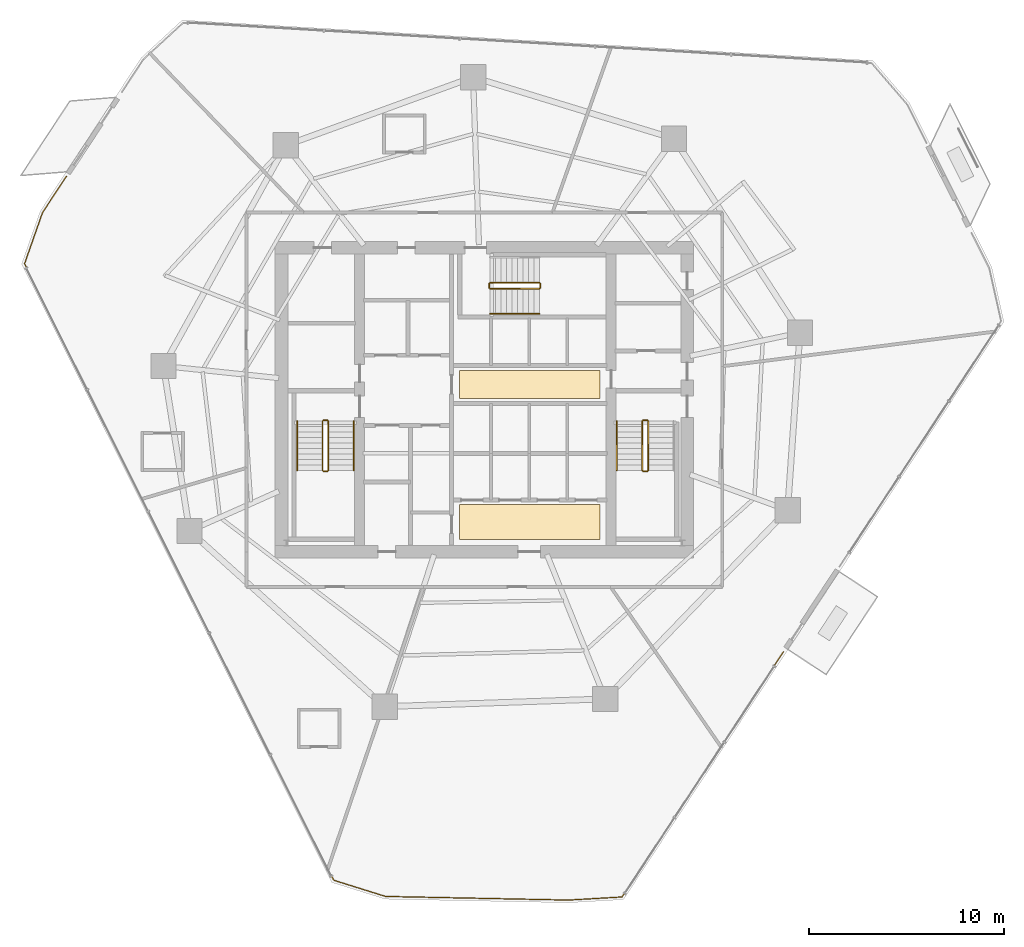
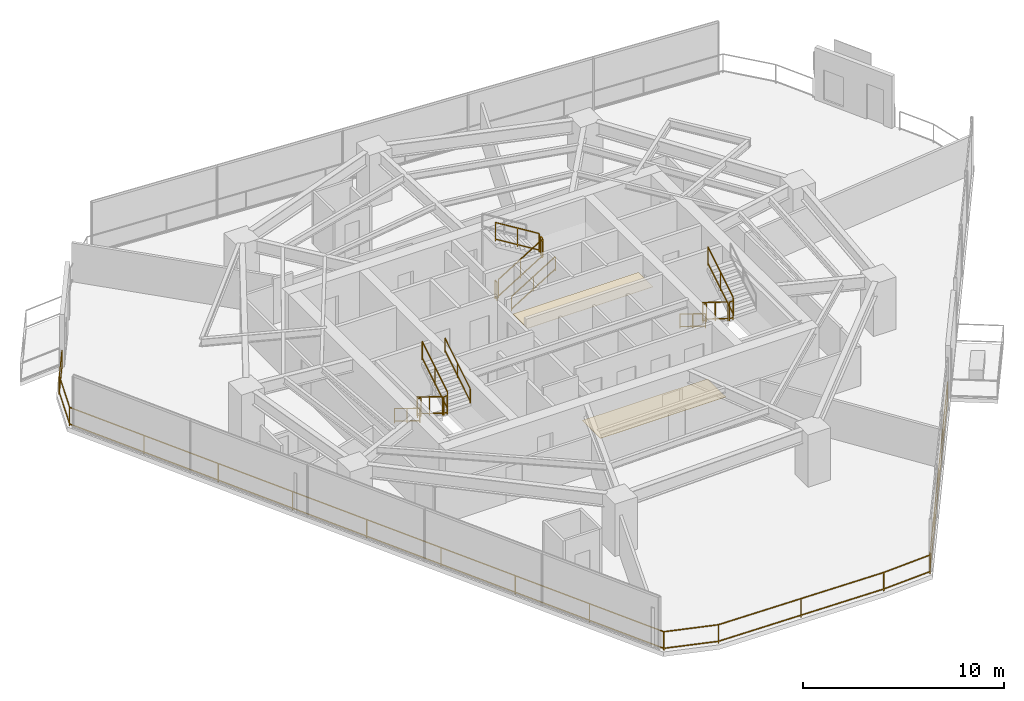
# One storey, part 27 of 28: 17 railings, 2 coverings.
"""IFC4 building model written with IfcOpenShell, lengths in metres."""

from ifc_helpers import new_model, si_unit, direction, frame, origin, origin_2d, place, context, subcontext, project, spatial, rectangle, extrude, material, layer, layer_set, type_object, element, save


model = new_model("IFC4")

# Units and contexts
model_context = context("Model", 3, precision=1e-05, world=origin(), true_north=direction((0.0, 1.0)))
body_context = subcontext(model_context, "Body", "Model", "MODEL_VIEW")
ifc_project = project(units=[si_unit("LENGTHUNIT", "METRE"), si_unit("AREAUNIT", "SQUARE_METRE"), si_unit("VOLUMEUNIT", "CUBIC_METRE"), si_unit("PLANEANGLEUNIT", "RADIAN"), si_unit("MASSUNIT", "GRAM", prefix="KILO")], contexts=[model_context])

# Site, building, storey
site_placement = place(None, origin())
site = spatial("IfcSite", under=ifc_project, at=site_placement, CompositionType="ELEMENT")
building_placement = place(site_placement, origin())
building = spatial("IfcBuilding", under=site, at=building_placement, Name="Qarnah Convention Tower", CompositionType="ELEMENT")
storey_placement = place(building_placement, frame((0.0, 0.0, 54.60009765625)))
storey = spatial("IfcBuildingStorey", under=building, at=storey_placement, Name="L13", CompositionType="ELEMENT", Elevation=54.60009765625)

# Coverings
ifc_material_1 = material(Name="Mineral fibre acoustic ceiling")
ifc_layer_1 = layer(ifc_material_1, 0.02001953125)
ifc_layer_set_1 = layer_set([ifc_layer_1], Name="Mineral fibre acoustic ceiling")
covering_type_1 = type_object("IfcCoveringType", Name="COV-CEIL-20", PredefinedType="CEILING", material=ifc_layer_set_1)
covering_1_placement = place(storey_placement, frame((39.52001953125, 27.179931640625, 2.289794921875), z_axis=(0.0, 0.0, 1.0), x_axis=(1.0, 0.0, 0.0)))
element("IfcCovering", 1, at=covering_1_placement, inside=storey, type_object=covering_type_1, Name="L13 lift lobby acoustic ceiling", PredefinedType="CEILING", context=body_context, shape_type="SweptSolid", body=[
    extrude(rectangle(XDim=7.199951171875, YDim=1.449951171875, at=origin_2d()), origin(), (0.0, 0.0, 1.0), 0.02001953125),
])
ifc_material_2 = material(Name="Porcelain stone floor tile", Category="masonry")
ifc_layer_2 = layer(ifc_material_2, 0.02001953125)
ifc_layer_set_2 = layer_set([ifc_layer_2], Name="Porcelain stone floor tile")
covering_type_2 = type_object("IfcCoveringType", Name="COV-FLOOR-20", PredefinedType="FLOORING", material=ifc_layer_set_2)
covering_2_placement = place(storey_placement, frame((39.52001953125, 20.1201171875, 0.0), z_axis=(0.0, 0.0, 1.0), x_axis=(1.0, 0.0, 0.0)))
element("IfcCovering", 2, at=covering_2_placement, inside=storey, type_object=covering_type_2, Name="L13 lift lobby porcelain stone flooring", PredefinedType="FLOORING", context=body_context, shape_type="SweptSolid", body=[
    extrude(rectangle(XDim=7.199951171875, YDim=1.800048828125, at=origin_2d()), origin(), (0.0, 0.0, 1.0), 0.02001953125),
])

# Railings
ifc_material_3 = material(Name="Black anodised aluminium", Category="aluminium")
railing_type_1 = type_object("IfcRailingType", Name="RL-EXT-GUARD-1150", PredefinedType="GUARDRAIL", material=ifc_material_3)
railing_1_placement = place(storey_placement, frame((52.533935546875, 13.471923828125, 0.0)))
element("IfcRailing", 3, at=railing_1_placement, inside=storey, type_object=railing_type_1, Name="L13 slab-edge perimeter safety guard 03", PredefinedType="GUARDRAIL", context=body_context, shape_type="SweptSolid", body=[
    extrude(rectangle(XDim=0.048095703125, YDim=0.048095703125, at=origin_2d()), frame((0.0, 0.0, 1.1259765625), z_axis=(-0.549870547609, -0.835249891273, 0.0), x_axis=(0.835249891273, -0.549870547609, 0.0)), (0.0, 0.0, 1.0), 15.05419921875),
    extrude(rectangle(XDim=0.048095703125, YDim=0.048095703125, at=origin_2d()), frame((0.0, 0.0, 0.1201171875), z_axis=(-0.549870547609, -0.835249891273, 0.0), x_axis=(0.835249891273, -0.549870547609, 0.0)), (0.0, 0.0, 1.0), 15.05419921875),
    extrude(rectangle(XDim=0.048095703125, YDim=0.048095703125, at=origin_2d()), frame((-8.27783203125, -12.573974609375, 1.1259765625), z_axis=(-0.998340040109, -0.057594828885, 0.0), x_axis=(0.057594828885, -0.998340040109, 0.0)), (0.0, 0.0, 1.0), 2.74267578125),
    extrude(rectangle(XDim=0.048095703125, YDim=0.048095703125, at=origin_2d()), frame((-8.27783203125, -12.573974609375, 0.1201171875), z_axis=(-0.998340040109, -0.057594828885, 0.0), x_axis=(0.057594828885, -0.998340040109, 0.0)), (0.0, 0.0, 1.0), 2.74267578125),
    extrude(rectangle(XDim=0.048095703125, YDim=0.048095703125, at=origin_2d()), frame((-11.015869140625, -12.73193359375, 1.1259765625), z_axis=(-0.999803549568, 0.019820753565, 0.0), x_axis=(-0.019820753565, -0.999803549568, 0.0)), (0.0, 0.0, 1.0), 9.385986328125),
    extrude(rectangle(XDim=0.048095703125, YDim=0.048095703125, at=origin_2d()), frame((-11.015869140625, -12.73193359375, 0.1201171875), z_axis=(-0.999803549568, 0.019820753565, 0.0), x_axis=(-0.019820753565, -0.999803549568, 0.0)), (0.0, 0.0, 1.0), 9.385986328125),
    extrude(rectangle(XDim=0.048095703125, YDim=0.048095703125, at=origin_2d()), frame((-20.39990234375, -12.5458984375, 1.1259765625), z_axis=(-0.954503384145, 0.298200083258, 0.0), x_axis=(-0.298200083258, -0.954503384145, 0.0)), (0.0, 0.0, 1.0), 2.78369140625),
    extrude(rectangle(XDim=0.048095703125, YDim=0.048095703125, at=origin_2d()), frame((-20.39990234375, -12.5458984375, 0.1201171875), z_axis=(-0.954503384145, 0.298200083258, 0.0), x_axis=(-0.298200083258, -0.954503384145, 0.0)), (0.0, 0.0, 1.0), 2.78369140625),
    extrude(rectangle(XDim=0.048095703125, YDim=0.048095703125, at=origin_2d()), frame((-23.056884765625, -11.7158203125, 1.1259765625), z_axis=(-0.448370056083, 0.893848025566, 0.0), x_axis=(-0.893848025566, -0.448370056083, 0.0)), (0.0, 0.0, 1.0), 35.37060546875),
    extrude(rectangle(XDim=0.048095703125, YDim=0.048095703125, at=origin_2d()), frame((-23.056884765625, -11.7158203125, 0.1201171875), z_axis=(-0.448370056083, 0.893848025566, 0.0), x_axis=(-0.893848025566, -0.448370056083, 0.0)), (0.0, 0.0, 1.0), 35.37060546875),
    extrude(rectangle(XDim=0.048095703125, YDim=0.048095703125, at=origin_2d()), frame((-38.916015625, 19.900146484375, 1.1259765625), z_axis=(0.331521853907, 0.943447539815, 0.0), x_axis=(-0.943447539815, 0.331521853907, 0.0)), (0.0, 0.0, 1.0), 2.784423828125),
    extrude(rectangle(XDim=0.048095703125, YDim=0.048095703125, at=origin_2d()), frame((-38.916015625, 19.900146484375, 0.1201171875), z_axis=(0.331521853907, 0.943447539815, 0.0), x_axis=(-0.943447539815, 0.331521853907, 0.0)), (0.0, 0.0, 1.0), 2.784423828125),
    extrude(rectangle(XDim=0.048095703125, YDim=0.048095703125, at=origin_2d()), frame((-37.992919921875, 22.527099609375, 1.1259765625), z_axis=(0.550003645583, 0.835162253604, 0.0), x_axis=(-0.835162253604, 0.550003645583, 0.0)), (0.0, 0.0, 1.0), 2.223388671875),
    extrude(rectangle(XDim=0.048095703125, YDim=0.048095703125, at=origin_2d()), frame((-37.992919921875, 22.527099609375, 0.1201171875), z_axis=(0.550003645583, 0.835162253604, 0.0), x_axis=(-0.835162253604, 0.550003645583, 0.0)), (0.0, 0.0, 1.0), 2.223388671875),
    extrude(rectangle(XDim=0.0419921875, YDim=0.0419921875, at=origin_2d()), origin(), (0.0, 0.0, 1.0), 1.101806640625),
    extrude(rectangle(XDim=0.0419921875, YDim=0.0419921875, at=origin_2d()), frame((-2.0693359375, -3.1435546875, 0.0)), (0.0, 0.0, 1.0), 1.101806640625),
    extrude(rectangle(XDim=0.0419921875, YDim=0.0419921875, at=origin_2d()), frame((-4.138916015625, -6.287109375, 0.0)), (0.0, 0.0, 1.0), 1.101806640625),
    extrude(rectangle(XDim=0.0419921875, YDim=0.0419921875, at=origin_2d()), frame((-6.20849609375, -9.430419921875, 0.0)), (0.0, 0.0, 1.0), 1.101806640625),
    extrude(rectangle(XDim=0.0419921875, YDim=0.0419921875, at=origin_2d()), frame((-8.27783203125, -12.573974609375, 0.0)), (0.0, 0.0, 1.0), 1.101806640625),
    extrude(rectangle(XDim=0.0419921875, YDim=0.0419921875, at=origin_2d()), frame((-11.015869140625, -12.73193359375, 0.0)), (0.0, 0.0, 1.0), 1.101806640625),
    extrude(rectangle(XDim=0.0419921875, YDim=0.0419921875, at=origin_2d()), frame((-15.7080078125, -12.638916015625, 0.0)), (0.0, 0.0, 1.0), 1.101806640625),
    extrude(rectangle(XDim=0.0419921875, YDim=0.0419921875, at=origin_2d()), frame((-20.39990234375, -12.5458984375, 0.0)), (0.0, 0.0, 1.0), 1.101806640625),
    extrude(rectangle(XDim=0.0419921875, YDim=0.0419921875, at=origin_2d()), frame((-23.056884765625, -11.7158203125, 0.0)), (0.0, 0.0, 1.0), 1.101806640625),
    extrude(rectangle(XDim=0.0419921875, YDim=0.0419921875, at=origin_2d()), frame((-25.039306640625, -7.763916015625, 0.0)), (0.0, 0.0, 1.0), 1.101806640625),
    extrude(rectangle(XDim=0.0419921875, YDim=0.0419921875, at=origin_2d()), frame((-27.021728515625, -3.811767578125, 0.0)), (0.0, 0.0, 1.0), 1.101806640625),
    extrude(rectangle(XDim=0.0419921875, YDim=0.0419921875, at=origin_2d()), frame((-29.004150390625, 0.14013671875, 0.0)), (0.0, 0.0, 1.0), 1.101806640625),
    extrude(rectangle(XDim=0.0419921875, YDim=0.0419921875, at=origin_2d()), frame((-30.986328125, 4.09228515625, 0.0)), (0.0, 0.0, 1.0), 1.101806640625),
    extrude(rectangle(XDim=0.0419921875, YDim=0.0419921875, at=origin_2d()), frame((-32.96875, 8.044189453125, 0.0)), (0.0, 0.0, 1.0), 1.101806640625),
    extrude(rectangle(XDim=0.0419921875, YDim=0.0419921875, at=origin_2d()), frame((-34.951171875, 11.99609375, 0.0)), (0.0, 0.0, 1.0), 1.101806640625),
    extrude(rectangle(XDim=0.0419921875, YDim=0.0419921875, at=origin_2d()), frame((-36.93359375, 15.9482421875, 0.0)), (0.0, 0.0, 1.0), 1.101806640625),
    extrude(rectangle(XDim=0.0419921875, YDim=0.0419921875, at=origin_2d()), frame((-38.916015625, 19.900146484375, 0.0)), (0.0, 0.0, 1.0), 1.101806640625),
    extrude(rectangle(XDim=0.0419921875, YDim=0.0419921875, at=origin_2d()), frame((-37.992919921875, 22.527099609375, 0.0)), (0.0, 0.0, 1.0), 1.101806640625),
    extrude(rectangle(XDim=0.0419921875, YDim=0.0419921875, at=origin_2d()), frame((-36.77001953125, 24.384033203125, 0.0)), (0.0, 0.0, 1.0), 1.101806640625),
])
ifc_material_4 = material(Name="Structural steel S355JR", Category="steel")
railing_type_2 = type_object("IfcRailingType", Name="RL-STAIR-GUARD-1150", PredefinedType="GUARDRAIL", material=ifc_material_4)
railing_2_placement = place(storey_placement, frame((28.89990234375, 25.300048828125, 0.17236328125)))
element("IfcRailing", 4, at=railing_2_placement, inside=storey, type_object=railing_type_2, Name="L13 ST-1 stair guard 1", PredefinedType="GUARDRAIL", context=body_context, shape_type="SweptSolid", body=[
    extrude(rectangle(XDim=0.048095703125, YDim=0.048095703125, at=origin_2d()), frame((0.0, 0.0, 1.1259765625), z_axis=(0.0, -0.851400495292, 0.524516154772), x_axis=(1.0, 0.0, 0.0)), (0.0, 0.0, 1.0), 2.9599609375),
    extrude(rectangle(XDim=0.048095703125, YDim=0.048095703125, at=origin_2d()), frame((0.0, 0.0, 0.1201171875), z_axis=(0.0, -0.851400495292, 0.524516154772), x_axis=(1.0, 0.0, 0.0)), (0.0, 0.0, 1.0), 2.9599609375),
    extrude(rectangle(XDim=0.0419921875, YDim=0.0419921875, at=origin_2d()), origin(), (0.0, 0.0, 1.0), 1.101806640625),
    extrude(rectangle(XDim=0.0419921875, YDim=0.0419921875, at=origin_2d()), frame((0.0, -1.260009765625, 0.7763671875)), (0.0, 0.0, 1.0), 1.101806640625),
    extrude(rectangle(XDim=0.0419921875, YDim=0.0419921875, at=origin_2d()), frame((0.0, -2.52001953125, 1.552490234375)), (0.0, 0.0, 1.0), 1.101806640625),
])
railing_3_placement = place(storey_placement, frame((28.949951171875, 22.72998046875, 1.724853515625)))
element("IfcRailing", 5, at=railing_3_placement, inside=storey, type_object=railing_type_2, Name="L13 ST-1 stair guard 2", PredefinedType="GUARDRAIL", context=body_context, shape_type="SweptSolid", body=[
    extrude(rectangle(XDim=0.048095703125, YDim=0.048095703125, at=origin_2d()), frame((0.0, 0.0, 1.1259765625), z_axis=(1.0, 0.0, 0.0), x_axis=(0.0, 1.0, 0.0)), (0.0, 0.0, 1.0), 0.199951171875),
    extrude(rectangle(XDim=0.048095703125, YDim=0.048095703125, at=origin_2d()), frame((0.0, 0.0, 0.1201171875), z_axis=(1.0, 0.0, 0.0), x_axis=(0.0, 1.0, 0.0)), (0.0, 0.0, 1.0), 0.199951171875),
    extrude(rectangle(XDim=0.0419921875, YDim=0.0419921875, at=origin_2d()), origin(), (0.0, 0.0, 1.0), 1.101806640625),
    extrude(rectangle(XDim=0.0419921875, YDim=0.0419921875, at=origin_2d()), frame((0.199951171875, 0.0, 0.0)), (0.0, 0.0, 1.0), 1.101806640625),
])
railing_4_placement = place(storey_placement, frame((29.199951171875, 22.780029296875, 1.8974609375)))
element("IfcRailing", 6, at=railing_4_placement, inside=storey, type_object=railing_type_2, Name="L13 ST-1 stair guard 3", PredefinedType="GUARDRAIL", context=body_context, shape_type="SweptSolid", body=[
    extrude(rectangle(XDim=0.048095703125, YDim=0.048095703125, at=origin_2d()), frame((0.0, 0.0, 1.1259765625), z_axis=(0.0, 0.851400495292, 0.524516154772), x_axis=(-1.0, 0.0, 0.0)), (0.0, 0.0, 1.0), 2.9599609375),
    extrude(rectangle(XDim=0.048095703125, YDim=0.048095703125, at=origin_2d()), frame((0.0, 0.0, 0.1201171875), z_axis=(0.0, 0.851400495292, 0.524516154772), x_axis=(-1.0, 0.0, 0.0)), (0.0, 0.0, 1.0), 2.9599609375),
    extrude(rectangle(XDim=0.0419921875, YDim=0.0419921875, at=origin_2d()), origin(), (0.0, 0.0, 1.0), 1.101806640625),
    extrude(rectangle(XDim=0.0419921875, YDim=0.0419921875, at=origin_2d()), frame((0.0, 1.260009765625, 0.7763671875)), (0.0, 0.0, 1.0), 1.101806640625),
    extrude(rectangle(XDim=0.0419921875, YDim=0.0419921875, at=origin_2d()), frame((0.0, 2.52001953125, 1.552490234375)), (0.0, 0.0, 1.0), 1.101806640625),
])
railing_5_placement = place(storey_placement, frame((28.949951171875, 25.35009765625, 0.0)))
element("IfcRailing", 7, at=railing_5_placement, inside=storey, type_object=railing_type_2, Name="L13 ST-1 stair guard 4", PredefinedType="GUARDRAIL", context=body_context, shape_type="SweptSolid", body=[
    extrude(rectangle(XDim=0.048095703125, YDim=0.048095703125, at=origin_2d()), frame((0.0, 0.0, 1.1259765625), z_axis=(1.0, 0.0, 0.0), x_axis=(0.0, 1.0, 0.0)), (0.0, 0.0, 1.0), 0.199951171875),
    extrude(rectangle(XDim=0.048095703125, YDim=0.048095703125, at=origin_2d()), frame((0.0, 0.0, 0.1201171875), z_axis=(1.0, 0.0, 0.0), x_axis=(0.0, 1.0, 0.0)), (0.0, 0.0, 1.0), 0.199951171875),
    extrude(rectangle(XDim=0.0419921875, YDim=0.0419921875, at=origin_2d()), origin(), (0.0, 0.0, 1.0), 1.101806640625),
    extrude(rectangle(XDim=0.0419921875, YDim=0.0419921875, at=origin_2d()), frame((0.199951171875, 0.0, 0.0)), (0.0, 0.0, 1.0), 1.101806640625),
])
railing_6_placement = place(storey_placement, frame((45.300048828125, 25.300048828125, 0.17236328125)))
element("IfcRailing", 8, at=railing_6_placement, inside=storey, type_object=railing_type_2, Name="L13 ST-2 stair guard 1", PredefinedType="GUARDRAIL", context=body_context, shape_type="SweptSolid", body=[
    extrude(rectangle(XDim=0.048095703125, YDim=0.048095703125, at=origin_2d()), frame((0.0, 0.0, 1.1259765625), z_axis=(0.0, -0.851400495292, 0.524516154772), x_axis=(1.0, 0.0, 0.0)), (0.0, 0.0, 1.0), 2.9599609375),
    extrude(rectangle(XDim=0.048095703125, YDim=0.048095703125, at=origin_2d()), frame((0.0, 0.0, 0.1201171875), z_axis=(0.0, -0.851400495292, 0.524516154772), x_axis=(1.0, 0.0, 0.0)), (0.0, 0.0, 1.0), 2.9599609375),
    extrude(rectangle(XDim=0.0419921875, YDim=0.0419921875, at=origin_2d()), origin(), (0.0, 0.0, 1.0), 1.101806640625),
    extrude(rectangle(XDim=0.0419921875, YDim=0.0419921875, at=origin_2d()), frame((0.0, -1.260009765625, 0.7763671875)), (0.0, 0.0, 1.0), 1.101806640625),
    extrude(rectangle(XDim=0.0419921875, YDim=0.0419921875, at=origin_2d()), frame((0.0, -2.52001953125, 1.552490234375)), (0.0, 0.0, 1.0), 1.101806640625),
])
railing_7_placement = place(storey_placement, frame((45.35009765625, 22.72998046875, 1.724853515625)))
element("IfcRailing", 9, at=railing_7_placement, inside=storey, type_object=railing_type_2, Name="L13 ST-2 stair guard 2", PredefinedType="GUARDRAIL", context=body_context, shape_type="SweptSolid", body=[
    extrude(rectangle(XDim=0.048095703125, YDim=0.048095703125, at=origin_2d()), frame((0.0, 0.0, 1.1259765625), z_axis=(1.0, 0.0, 0.0), x_axis=(0.0, 1.0, 0.0)), (0.0, 0.0, 1.0), 0.199951171875),
    extrude(rectangle(XDim=0.048095703125, YDim=0.048095703125, at=origin_2d()), frame((0.0, 0.0, 0.1201171875), z_axis=(1.0, 0.0, 0.0), x_axis=(0.0, 1.0, 0.0)), (0.0, 0.0, 1.0), 0.199951171875),
    extrude(rectangle(XDim=0.0419921875, YDim=0.0419921875, at=origin_2d()), origin(), (0.0, 0.0, 1.0), 1.101806640625),
    extrude(rectangle(XDim=0.0419921875, YDim=0.0419921875, at=origin_2d()), frame((0.199951171875, 0.0, 0.0)), (0.0, 0.0, 1.0), 1.101806640625),
])
railing_8_placement = place(storey_placement, frame((45.60009765625, 22.780029296875, 1.8974609375)))
element("IfcRailing", 10, at=railing_8_placement, inside=storey, type_object=railing_type_2, Name="L13 ST-2 stair guard 3", PredefinedType="GUARDRAIL", context=body_context, shape_type="SweptSolid", body=[
    extrude(rectangle(XDim=0.048095703125, YDim=0.048095703125, at=origin_2d()), frame((0.0, 0.0, 1.1259765625), z_axis=(0.0, 0.851400495292, 0.524516154772), x_axis=(-1.0, 0.0, 0.0)), (0.0, 0.0, 1.0), 2.9599609375),
    extrude(rectangle(XDim=0.048095703125, YDim=0.048095703125, at=origin_2d()), frame((0.0, 0.0, 0.1201171875), z_axis=(0.0, 0.851400495292, 0.524516154772), x_axis=(-1.0, 0.0, 0.0)), (0.0, 0.0, 1.0), 2.9599609375),
    extrude(rectangle(XDim=0.0419921875, YDim=0.0419921875, at=origin_2d()), origin(), (0.0, 0.0, 1.0), 1.101806640625),
    extrude(rectangle(XDim=0.0419921875, YDim=0.0419921875, at=origin_2d()), frame((0.0, 1.260009765625, 0.7763671875)), (0.0, 0.0, 1.0), 1.101806640625),
    extrude(rectangle(XDim=0.0419921875, YDim=0.0419921875, at=origin_2d()), frame((0.0, 2.52001953125, 1.552490234375)), (0.0, 0.0, 1.0), 1.101806640625),
])
railing_9_placement = place(storey_placement, frame((45.35009765625, 25.35009765625, 0.0)))
element("IfcRailing", 11, at=railing_9_placement, inside=storey, type_object=railing_type_2, Name="L13 ST-2 stair guard 4", PredefinedType="GUARDRAIL", context=body_context, shape_type="SweptSolid", body=[
    extrude(rectangle(XDim=0.048095703125, YDim=0.048095703125, at=origin_2d()), frame((0.0, 0.0, 1.1259765625), z_axis=(1.0, 0.0, 0.0), x_axis=(0.0, 1.0, 0.0)), (0.0, 0.0, 1.0), 0.199951171875),
    extrude(rectangle(XDim=0.048095703125, YDim=0.048095703125, at=origin_2d()), frame((0.0, 0.0, 0.1201171875), z_axis=(1.0, 0.0, 0.0), x_axis=(0.0, 1.0, 0.0)), (0.0, 0.0, 1.0), 0.199951171875),
    extrude(rectangle(XDim=0.0419921875, YDim=0.0419921875, at=origin_2d()), origin(), (0.0, 0.0, 1.0), 1.101806640625),
    extrude(rectangle(XDim=0.0419921875, YDim=0.0419921875, at=origin_2d()), frame((0.199951171875, 0.0, 0.0)), (0.0, 0.0, 1.0), 1.101806640625),
])
railing_10_placement = place(storey_placement, frame((37.5, 32.10009765625, 0.17236328125)))
element("IfcRailing", 12, at=railing_10_placement, inside=storey, type_object=railing_type_2, Name="L13 ST-3 stair guard 1", PredefinedType="GUARDRAIL", context=body_context, shape_type="SweptSolid", body=[
    extrude(rectangle(XDim=0.048095703125, YDim=0.048095703125, at=origin_2d()), frame((0.0, 0.0, 1.1259765625), z_axis=(0.851400495292, 0.0, 0.524516154772), x_axis=(0.0, 1.0, 0.0)), (0.0, 0.0, 1.0), 2.9599609375),
    extrude(rectangle(XDim=0.048095703125, YDim=0.048095703125, at=origin_2d()), frame((0.0, 0.0, 0.1201171875), z_axis=(0.851400495292, 0.0, 0.524516154772), x_axis=(0.0, 1.0, 0.0)), (0.0, 0.0, 1.0), 2.9599609375),
    extrude(rectangle(XDim=0.0419921875, YDim=0.0419921875, at=origin_2d()), origin(), (0.0, 0.0, 1.0), 1.101806640625),
    extrude(rectangle(XDim=0.0419921875, YDim=0.0419921875, at=origin_2d()), frame((1.260009765625, 0.0, 0.7763671875)), (0.0, 0.0, 1.0), 1.101806640625),
    extrude(rectangle(XDim=0.0419921875, YDim=0.0419921875, at=origin_2d()), frame((2.52001953125, 0.0, 1.552490234375)), (0.0, 0.0, 1.0), 1.101806640625),
])
railing_11_placement = place(storey_placement, frame((40.070068359375, 32.14990234375, 1.724853515625)))
element("IfcRailing", 13, at=railing_11_placement, inside=storey, type_object=railing_type_2, Name="L13 ST-3 stair guard 2", PredefinedType="GUARDRAIL", context=body_context, shape_type="SweptSolid", body=[
    extrude(rectangle(XDim=0.048095703125, YDim=0.048095703125, at=origin_2d()), frame((0.0, 0.0, 1.1259765625), z_axis=(0.0, 1.0, 0.0), x_axis=(-1.0, 0.0, 0.0)), (0.0, 0.0, 1.0), 0.2001953125),
    extrude(rectangle(XDim=0.048095703125, YDim=0.048095703125, at=origin_2d()), frame((0.0, 0.0, 0.1201171875), z_axis=(0.0, 1.0, 0.0), x_axis=(-1.0, 0.0, 0.0)), (0.0, 0.0, 1.0), 0.2001953125),
    extrude(rectangle(XDim=0.0419921875, YDim=0.0419921875, at=origin_2d()), origin(), (0.0, 0.0, 1.0), 1.101806640625),
    extrude(rectangle(XDim=0.0419921875, YDim=0.0419921875, at=origin_2d()), frame((0.0, 0.2001953125, 0.0)), (0.0, 0.0, 1.0), 1.101806640625),
])
railing_12_placement = place(storey_placement, frame((40.02001953125, 32.39990234375, 1.8974609375)))
element("IfcRailing", 14, at=railing_12_placement, inside=storey, type_object=railing_type_2, Name="L13 ST-3 stair guard 3", PredefinedType="GUARDRAIL", context=body_context, shape_type="SweptSolid", body=[
    extrude(rectangle(XDim=0.048095703125, YDim=0.048095703125, at=origin_2d()), frame((0.0, 0.0, 1.1259765625), z_axis=(-0.851400495292, 0.0, 0.524516154772), x_axis=(0.0, -1.0, 0.0)), (0.0, 0.0, 1.0), 2.9599609375),
    extrude(rectangle(XDim=0.048095703125, YDim=0.048095703125, at=origin_2d()), frame((0.0, 0.0, 0.1201171875), z_axis=(-0.851400495292, 0.0, 0.524516154772), x_axis=(0.0, -1.0, 0.0)), (0.0, 0.0, 1.0), 2.9599609375),
    extrude(rectangle(XDim=0.0419921875, YDim=0.0419921875, at=origin_2d()), origin(), (0.0, 0.0, 1.0), 1.101806640625),
    extrude(rectangle(XDim=0.0419921875, YDim=0.0419921875, at=origin_2d()), frame((-1.260009765625, 0.0, 0.7763671875)), (0.0, 0.0, 1.0), 1.101806640625),
    extrude(rectangle(XDim=0.0419921875, YDim=0.0419921875, at=origin_2d()), frame((-2.52001953125, 0.0, 1.552490234375)), (0.0, 0.0, 1.0), 1.101806640625),
])
railing_13_placement = place(storey_placement, frame((37.449951171875, 32.14990234375, 0.0)))
element("IfcRailing", 15, at=railing_13_placement, inside=storey, type_object=railing_type_2, Name="L13 ST-3 stair guard 4", PredefinedType="GUARDRAIL", context=body_context, shape_type="SweptSolid", body=[
    extrude(rectangle(XDim=0.048095703125, YDim=0.048095703125, at=origin_2d()), frame((0.0, 0.0, 1.1259765625), z_axis=(0.0, 1.0, 0.0), x_axis=(-1.0, 0.0, 0.0)), (0.0, 0.0, 1.0), 0.2001953125),
    extrude(rectangle(XDim=0.048095703125, YDim=0.048095703125, at=origin_2d()), frame((0.0, 0.0, 0.1201171875), z_axis=(0.0, 1.0, 0.0), x_axis=(-1.0, 0.0, 0.0)), (0.0, 0.0, 1.0), 0.2001953125),
    extrude(rectangle(XDim=0.0419921875, YDim=0.0419921875, at=origin_2d()), origin(), (0.0, 0.0, 1.0), 1.101806640625),
    extrude(rectangle(XDim=0.0419921875, YDim=0.0419921875, at=origin_2d()), frame((0.0, 0.2001953125, 0.0)), (0.0, 0.0, 1.0), 1.101806640625),
])
railing_type_3 = type_object("IfcRailingType", Name="RL-STAIR-HAND-900", PredefinedType="HANDRAIL", material=ifc_material_4)
railing_14_placement = place(storey_placement, frame((27.60009765625, 25.300048828125, 0.17236328125)))
element("IfcRailing", 16, at=railing_14_placement, inside=storey, type_object=railing_type_3, Name="L13 ST-1 stair handrail 1", PredefinedType="HANDRAIL", context=body_context, shape_type="SweptSolid", body=[
    extrude(rectangle(XDim=0.048095703125, YDim=0.048095703125, at=origin_2d()), frame((0.0, 0.0, 0.8759765625), z_axis=(0.0, -0.851400495292, 0.524516154772), x_axis=(1.0, 0.0, 0.0)), (0.0, 0.0, 1.0), 2.9599609375),
    extrude(rectangle(XDim=0.048095703125, YDim=0.048095703125, at=origin_2d()), frame((0.0, 0.0, 0.1201171875), z_axis=(0.0, -0.851400495292, 0.524516154772), x_axis=(1.0, 0.0, 0.0)), (0.0, 0.0, 1.0), 2.9599609375),
    extrude(rectangle(XDim=0.0419921875, YDim=0.0419921875, at=origin_2d()), origin(), (0.0, 0.0, 1.0), 0.851806640625),
    extrude(rectangle(XDim=0.0419921875, YDim=0.0419921875, at=origin_2d()), frame((0.0, -1.260009765625, 0.7763671875)), (0.0, 0.0, 1.0), 0.851806640625),
    extrude(rectangle(XDim=0.0419921875, YDim=0.0419921875, at=origin_2d()), frame((0.0, -2.52001953125, 1.552490234375)), (0.0, 0.0, 1.0), 0.851806640625),
])
railing_15_placement = place(storey_placement, frame((30.5, 22.780029296875, 1.8974609375)))
element("IfcRailing", 17, at=railing_15_placement, inside=storey, type_object=railing_type_3, Name="L13 ST-1 stair handrail 2", PredefinedType="HANDRAIL", context=body_context, shape_type="SweptSolid", body=[
    extrude(rectangle(XDim=0.048095703125, YDim=0.048095703125, at=origin_2d()), frame((0.0, 0.0, 0.8759765625), z_axis=(0.0, 0.851400495292, 0.524516154772), x_axis=(-1.0, 0.0, 0.0)), (0.0, 0.0, 1.0), 2.9599609375),
    extrude(rectangle(XDim=0.048095703125, YDim=0.048095703125, at=origin_2d()), frame((0.0, 0.0, 0.1201171875), z_axis=(0.0, 0.851400495292, 0.524516154772), x_axis=(-1.0, 0.0, 0.0)), (0.0, 0.0, 1.0), 2.9599609375),
    extrude(rectangle(XDim=0.0419921875, YDim=0.0419921875, at=origin_2d()), origin(), (0.0, 0.0, 1.0), 0.851806640625),
    extrude(rectangle(XDim=0.0419921875, YDim=0.0419921875, at=origin_2d()), frame((0.0, 1.260009765625, 0.7763671875)), (0.0, 0.0, 1.0), 0.851806640625),
    extrude(rectangle(XDim=0.0419921875, YDim=0.0419921875, at=origin_2d()), frame((0.0, 2.52001953125, 1.552490234375)), (0.0, 0.0, 1.0), 0.851806640625),
])
railing_16_placement = place(storey_placement, frame((44.0, 25.300048828125, 0.17236328125)))
element("IfcRailing", 18, at=railing_16_placement, inside=storey, type_object=railing_type_3, Name="L13 ST-2 stair handrail 1", PredefinedType="HANDRAIL", context=body_context, shape_type="SweptSolid", body=[
    extrude(rectangle(XDim=0.048095703125, YDim=0.048095703125, at=origin_2d()), frame((0.0, 0.0, 0.8759765625), z_axis=(0.0, -0.851400495292, 0.524516154772), x_axis=(1.0, 0.0, 0.0)), (0.0, 0.0, 1.0), 2.9599609375),
    extrude(rectangle(XDim=0.048095703125, YDim=0.048095703125, at=origin_2d()), frame((0.0, 0.0, 0.1201171875), z_axis=(0.0, -0.851400495292, 0.524516154772), x_axis=(1.0, 0.0, 0.0)), (0.0, 0.0, 1.0), 2.9599609375),
    extrude(rectangle(XDim=0.0419921875, YDim=0.0419921875, at=origin_2d()), origin(), (0.0, 0.0, 1.0), 0.851806640625),
    extrude(rectangle(XDim=0.0419921875, YDim=0.0419921875, at=origin_2d()), frame((0.0, -1.260009765625, 0.7763671875)), (0.0, 0.0, 1.0), 0.851806640625),
    extrude(rectangle(XDim=0.0419921875, YDim=0.0419921875, at=origin_2d()), frame((0.0, -2.52001953125, 1.552490234375)), (0.0, 0.0, 1.0), 0.851806640625),
])
railing_17_placement = place(storey_placement, frame((37.5, 30.800048828125, 0.17236328125)))
element("IfcRailing", 19, at=railing_17_placement, inside=storey, type_object=railing_type_3, Name="L13 ST-3 stair handrail 1", PredefinedType="HANDRAIL", context=body_context, shape_type="SweptSolid", body=[
    extrude(rectangle(XDim=0.048095703125, YDim=0.048095703125, at=origin_2d()), frame((0.0, 0.0, 0.8759765625), z_axis=(0.851400495292, 0.0, 0.524516154772), x_axis=(0.0, 1.0, 0.0)), (0.0, 0.0, 1.0), 2.9599609375),
    extrude(rectangle(XDim=0.048095703125, YDim=0.048095703125, at=origin_2d()), frame((0.0, 0.0, 0.1201171875), z_axis=(0.851400495292, 0.0, 0.524516154772), x_axis=(0.0, 1.0, 0.0)), (0.0, 0.0, 1.0), 2.9599609375),
    extrude(rectangle(XDim=0.0419921875, YDim=0.0419921875, at=origin_2d()), origin(), (0.0, 0.0, 1.0), 0.851806640625),
    extrude(rectangle(XDim=0.0419921875, YDim=0.0419921875, at=origin_2d()), frame((1.260009765625, 0.0, 0.7763671875)), (0.0, 0.0, 1.0), 0.851806640625),
    extrude(rectangle(XDim=0.0419921875, YDim=0.0419921875, at=origin_2d()), frame((2.52001953125, 0.0, 1.552490234375)), (0.0, 0.0, 1.0), 0.851806640625),
])

save(model, "model.ifc")
